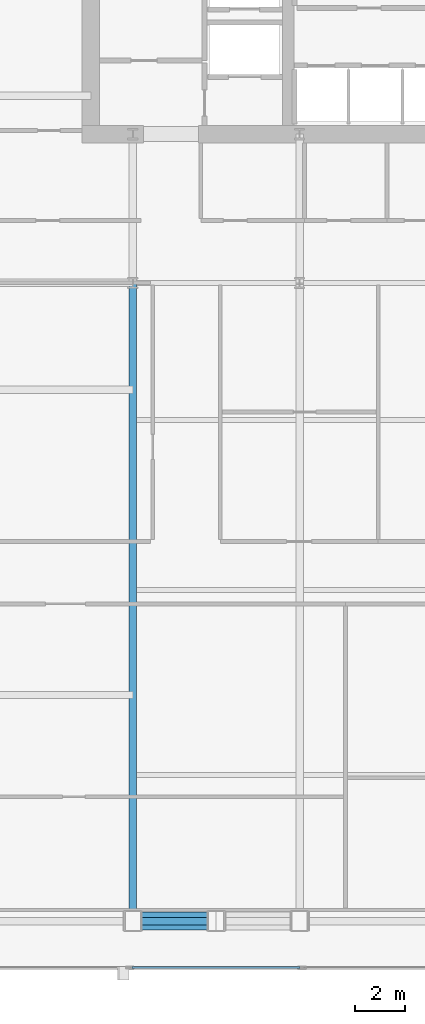
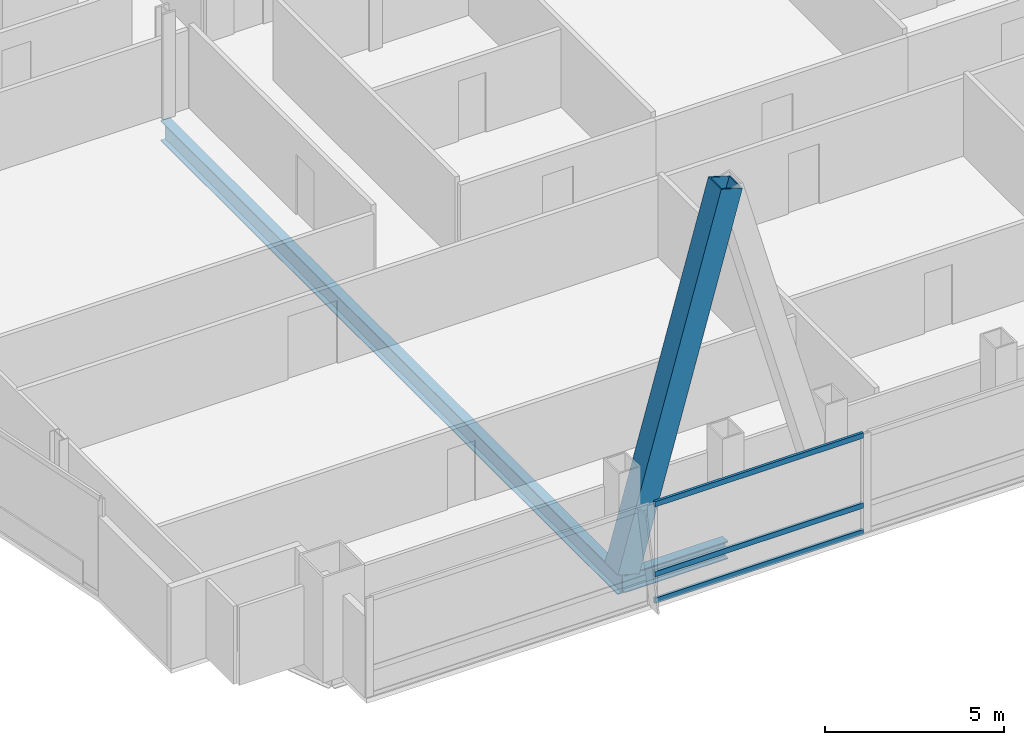
# One storey, part 7 of 31: 4 members, 2 beams, 1 element without a shape of its own.
"""IFC4 building model written with IfcOpenShell, lengths in metres."""

from ifc_helpers import new_model, si_unit, direction, frame, origin, origin_2d, place, context, subcontext, project, spatial, hollow_rectangle, i_section, extrude, material, material_profile, profile_set, type_object, element, aggregate, save


model = new_model("IFC4")

# Units and contexts
model_context = context("Model", 3, precision=1e-05, world=origin(), true_north=direction((0.0, 1.0)))
body_context = subcontext(model_context, "Body", "Model", "MODEL_VIEW")
ifc_project = project(units=[si_unit("LENGTHUNIT", "METRE"), si_unit("AREAUNIT", "SQUARE_METRE"), si_unit("VOLUMEUNIT", "CUBIC_METRE"), si_unit("PLANEANGLEUNIT", "RADIAN"), si_unit("MASSUNIT", "GRAM", prefix="KILO")], contexts=[model_context])

# Site, building, storey
site_placement = place(None, origin())
site = spatial("IfcSite", under=ifc_project, at=site_placement, CompositionType="ELEMENT")
building_placement = place(site_placement, origin())
building = spatial("IfcBuilding", under=site, at=building_placement, Name="Khoronbel Lancet Exchange", CompositionType="ELEMENT")
storey_placement = place(building_placement, frame((0.0, 0.0, 168.60009765625)))
storey = spatial("IfcBuildingStorey", under=building, at=storey_placement, Name="L42", CompositionType="ELEMENT", Elevation=168.60009765625)

# Beams
ifc_material_1 = material(Name="Steel S355", Category="steel")
ifc_material_profile_1 = material_profile(ifc_material_1, i_section(OverallWidth=0.300048828125, OverallDepth=0.699951171875, WebThickness=0.01708984375, FlangeThickness=0.031982421875, at=origin_2d()), Name="HEB 700")
ifc_profile_set_1 = profile_set([ifc_material_profile_1], Name="Steel S355")
beam_type_1 = type_object("IfcBeamType", Name="BM-BG3", PredefinedType="BEAM", material=ifc_profile_set_1)
beam_1_placement = place(storey_placement, frame((18.22509765625, 10.14990234375, -0.510009765625), z_axis=(0.0, 1.0, 0.0), x_axis=(-1.0, 0.0, 0.0)))
element("IfcBeam", 1, at=beam_1_placement, inside=storey, type_object=beam_type_1, Name="Level L42 south primary girder GS1", PredefinedType="BEAM", context=body_context, shape_type="SweptSolid", body=[
    extrude(i_section(OverallWidth=0.300048828125, OverallDepth=0.699951171875, WebThickness=0.01708984375, FlangeThickness=0.031982421875, at=origin_2d()), origin(), (0.0, 0.0, 1.0), 25.550048828125),
])
ifc_material_profile_2 = material_profile(ifc_material_1, i_section(OverallWidth=0.300048828125, OverallDepth=0.60009765625, WebThickness=0.015380859375, FlangeThickness=0.030029296875, at=origin_2d()), Name="HEB 600")
ifc_profile_set_2 = profile_set([ifc_material_profile_2], Name="Steel S355")
beam_type_2 = type_object("IfcBeamType", Name="BM-BSP2", PredefinedType="SPANDREL", material=ifc_profile_set_2)
beam_2_placement = place(storey_placement, frame((18.22509765625, 10.14990234375, -0.460205078125), z_axis=(1.0, 0.0, 0.0), x_axis=(0.0, 1.0, 0.0)))
element("IfcBeam", 2, at=beam_2_placement, inside=storey, type_object=beam_type_2, Name="Level L42 perimeter spandrel beam SP02", PredefinedType="SPANDREL", context=body_context, shape_type="SweptSolid", body=[
    extrude(i_section(OverallWidth=0.300048828125, OverallDepth=0.60009765625, WebThickness=0.015380859375, FlangeThickness=0.030029296875, at=origin_2d()), origin(), (0.0, 0.0, 1.0), 3.33740234375),
])

# Curtain wall, members
ifc_material_2 = material(Name="Low-E Solar Control Insulating Glass", Category="glass")
curtain_wall_type = type_object("IfcCurtainWallType", Name="CW-3", PredefinedType="NOTDEFINED", material=ifc_material_2)
curtain_wall_placement = place(storey_placement, origin())
curtain_wall = element("IfcCurtainWall", 3, at=curtain_wall_placement, inside=storey, type_object=curtain_wall_type, Name="Unitised curtain wall CW-L42-SWB", PredefinedType="NOTDEFINED")
ifc_material_3 = material(Name="Bronze-Anodised Aluminium 6063-T6", Category="aluminium")
ifc_material_profile_3 = material_profile(ifc_material_3, hollow_rectangle(XDim=0.0849609375, YDim=0.179931640625, WallThickness=0.0048828125, at=origin_2d()), Name="ALU TRANSOM 85x180")
ifc_profile_set_3 = profile_set([ifc_material_profile_3], Name="Bronze-Anodised Aluminium 6063-T6")
member_type_1 = type_object("IfcMemberType", Name="MEM-CWT1", PredefinedType="USERDEFINED", material=ifc_profile_set_3)
member_1_placement = place(storey_placement, frame((18.18505859375, 8.2900390625, 0.04248046875), z_axis=(1.0, 0.0, 0.0), x_axis=(0.0, 1.0, 0.0)))
member_1 = element("IfcMember", 4, at=member_1_placement, type_object=member_type_1, Name="CW3 transom 1.1", ObjectType="TRANSOM", PredefinedType="USERDEFINED", context=body_context, shape_type="SweptSolid", body=[
    extrude(hollow_rectangle(XDim=0.0849609375, YDim=0.179931640625, WallThickness=0.0048828125, at=origin_2d()), origin(), (0.0, 0.0, 1.0), 6.72998046875),
])
member_2_placement = place(storey_placement, frame((18.18505859375, 8.2900390625, 0.949951171875), z_axis=(1.0, 0.0, 0.0), x_axis=(0.0, 1.0, 0.0)))
member_2 = element("IfcMember", 5, at=member_2_placement, type_object=member_type_1, Name="CW3 transom 1.2", ObjectType="TRANSOM", PredefinedType="USERDEFINED", context=body_context, shape_type="SweptSolid", body=[
    extrude(hollow_rectangle(XDim=0.0849609375, YDim=0.179931640625, WallThickness=0.0048828125, at=origin_2d()), origin(), (0.0, 0.0, 1.0), 6.72998046875),
])
member_3_placement = place(storey_placement, frame((18.18505859375, 8.2900390625, 3.33740234375), z_axis=(1.0, 0.0, 0.0), x_axis=(0.0, 1.0, 0.0)))
member_3 = element("IfcMember", 6, at=member_3_placement, type_object=member_type_1, Name="CW3 transom 1.3", ObjectType="TRANSOM", PredefinedType="USERDEFINED", context=body_context, shape_type="SweptSolid", body=[
    extrude(hollow_rectangle(XDim=0.0849609375, YDim=0.179931640625, WallThickness=0.0048828125, at=origin_2d()), origin(), (0.0, 0.0, 1.0), 6.72998046875),
])
aggregate(curtain_wall, [member_1, member_2, member_3])

# Member
ifc_material_4 = material(Name="Steel S460", Category="steel")
ifc_material_profile_4 = material_profile(ifc_material_4, hollow_rectangle(XDim=0.719970703125, YDim=0.719970703125, WallThickness=0.050048828125, at=origin_2d()), Name="BOX 720x720x50")
ifc_profile_set_4 = profile_set([ifc_material_profile_4], Name="Steel S460")
member_type_2 = type_object("IfcMemberType", Name="MEM-MB2", PredefinedType="BRACE", material=ifc_profile_set_4)
member_4_placement = place(storey_placement, frame((18.22509765625, 10.14990234375, 0.0), z_axis=(0.267947134133, 0.0, 0.963433616452), x_axis=(0.0, 1.0, 0.0)))
element("IfcMember", 7, at=member_4_placement, inside=storey, type_object=member_type_2, Name="Perimeter lancet brace tier 14 S-W-L", PredefinedType="BRACE", context=body_context, shape_type="SweptSolid", body=[
    extrude(hollow_rectangle(XDim=0.719970703125, YDim=0.719970703125, WallThickness=0.050048828125, at=origin_2d()), origin(), (0.0, 0.0, 1.0), 12.45556640625),
])

save(model, "model.ifc")
